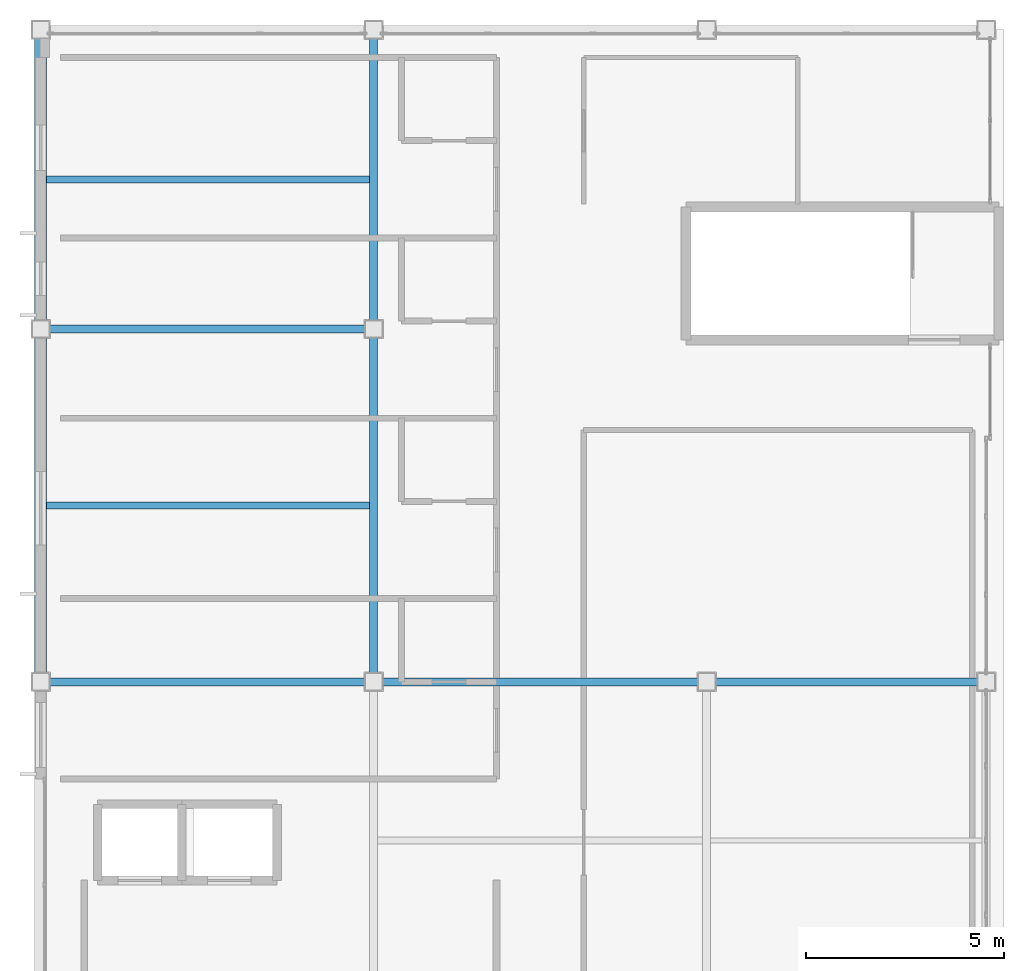
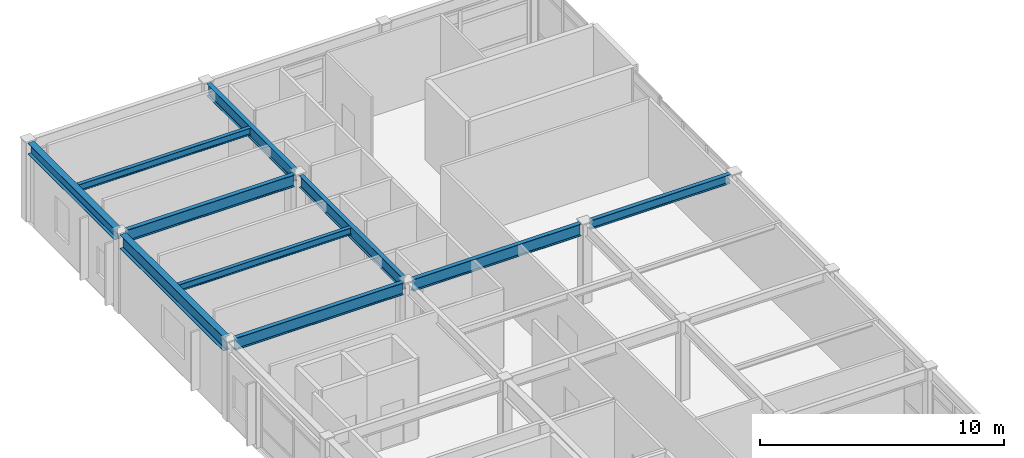
# One storey, part 22 of 34: 10 beams.
"""IFC4 building model written with IfcOpenShell, lengths in metres."""

from ifc_helpers import new_model, si_unit, direction, frame, origin, origin_2d, place, context, subcontext, project, spatial, i_section, extrude, material, material_profile, profile_set, type_object, element, save


model = new_model("IFC4")

# Units and contexts
model_context = context("Model", 3, precision=1e-05, world=origin(), true_north=direction((0.0, 1.0)))
body_context = subcontext(model_context, "Body", "Model", "MODEL_VIEW")
ifc_project = project(units=[si_unit("LENGTHUNIT", "METRE"), si_unit("AREAUNIT", "SQUARE_METRE"), si_unit("VOLUMEUNIT", "CUBIC_METRE"), si_unit("PLANEANGLEUNIT", "RADIAN"), si_unit("MASSUNIT", "GRAM", prefix="KILO")], contexts=[model_context])

# Site, building, storey
site_placement = place(None, origin())
site = spatial("IfcSite", under=ifc_project, at=site_placement, CompositionType="ELEMENT")
building_placement = place(site_placement, origin())
building = spatial("IfcBuilding", under=site, at=building_placement, Name="Kazehara Bluff Congress Hotel", CompositionType="ELEMENT")
storey_placement = place(building_placement, frame((0.0, 0.0, 46.199951171875)))
storey = spatial("IfcBuildingStorey", under=building, at=storey_placement, Name="L11", CompositionType="ELEMENT", Elevation=46.199951171875)

# Beams
ifc_material_1 = material(Name="Steel SN490B", Category="steel")
ifc_material_profile_1 = material_profile(ifc_material_1, i_section(OverallWidth=0.199951171875, OverallDepth=0.60009765625, WebThickness=0.010986328125, FlangeThickness=0.01708984375, FilletRadius=0.012939453125, at=origin_2d()))
ifc_profile_set_1 = profile_set([ifc_material_profile_1], Name="Steel SN490B")
beam_type_1 = type_object("IfcBeamType", Name="TP-G-02", PredefinedType="BEAM", material=ifc_profile_set_1)
beam_1_placement = place(storey_placement, frame((152.10009765625, 64.675048828125, 3.650146484375), z_axis=(0.0, 1.0, 0.0), x_axis=(-1.0, 0.0, 0.0)))
element("IfcBeam", 1, at=beam_1_placement, inside=storey, type_object=beam_type_1, Name="L11 girder G-02 13", PredefinedType="BEAM", context=body_context, shape_type="SweptSolid", body=[
    extrude(i_section(OverallWidth=0.199951171875, OverallDepth=0.60009765625, WebThickness=0.010986328125, FlangeThickness=0.01708984375, FilletRadius=0.012939453125, at=origin_2d()), origin(), (0.0, 0.0, 1.0), 8.449951171875),
])
beam_2_placement = place(storey_placement, frame((152.10009765625, 73.574951171875, 3.650146484375), z_axis=(0.0, 1.0, 0.0), x_axis=(-1.0, 0.0, 0.0)))
element("IfcBeam", 2, at=beam_2_placement, inside=storey, type_object=beam_type_1, Name="L11 girder G-02 14", PredefinedType="BEAM", context=body_context, shape_type="SweptSolid", body=[
    extrude(i_section(OverallWidth=0.199951171875, OverallDepth=0.60009765625, WebThickness=0.010986328125, FlangeThickness=0.01708984375, FilletRadius=0.012939453125, at=origin_2d()), origin(), (0.0, 0.0, 1.0), 7.10009765625),
])
for number, where, z_axis, x_axis, name in (
    (3, (143.925048828125, 64.449951171875, 3.650146484375), (1.0, 0.0, 0.0), (0.0, 1.0, 0.0), "L11 girder G-02 41"),
    (4, (152.324951171875, 64.449951171875, 3.650146484375), (1.0, 0.0, 0.0), (0.0, 1.0, 0.0), "L11 girder G-02 42"),
    (5, (143.925048828125, 73.35009765625, 3.650146484375), (1.0, 0.0, 0.0), (0.0, 1.0, 0.0), "L11 girder G-02 44"),
):
    element("IfcBeam", number, at=place(storey_placement, frame(where, z_axis=z_axis, x_axis=x_axis)), inside=storey, type_object=beam_type_1, Name=name, PredefinedType="BEAM", context=body_context, shape_type="SweptSolid", body=[
        extrude(i_section(OverallWidth=0.199951171875, OverallDepth=0.60009765625, WebThickness=0.010986328125, FlangeThickness=0.01708984375, FilletRadius=0.012939453125, at=origin_2d()), origin(), (0.0, 0.0, 1.0), 7.949951171875),
    ])
ifc_material_2 = material(Name="Steel SN490B", Category="steel")
ifc_material_profile_2 = material_profile(ifc_material_2, i_section(OverallWidth=0.199951171875, OverallDepth=0.449951171875, WebThickness=0.009033203125, FlangeThickness=0.013916015625, FilletRadius=0.012939453125, at=origin_2d()))
ifc_profile_set_2 = profile_set([ifc_material_profile_2], Name="Steel SN490B")
beam_type_2 = type_object("IfcBeamType", Name="TP-G-11", PredefinedType="BEAM", material=ifc_profile_set_2)
beam_3_placement = place(storey_placement, frame((160.72509765625, 64.449951171875, 3.72509765625), z_axis=(1.0, 0.0, 0.0), x_axis=(0.0, 1.0, 0.0)))
element("IfcBeam", 6, at=beam_3_placement, inside=storey, type_object=beam_type_2, Name="L11 girder G-11 43", PredefinedType="BEAM", context=body_context, shape_type="SweptSolid", body=[
    extrude(i_section(OverallWidth=0.199951171875, OverallDepth=0.449951171875, WebThickness=0.009033203125, FlangeThickness=0.013916015625, FilletRadius=0.012939453125, at=origin_2d()), origin(), (0.0, 0.0, 1.0), 6.599853515625),
])
ifc_material_3 = material(Name="Steel SN400B", Category="steel")
ifc_material_profile_3 = material_profile(ifc_material_3, i_section(OverallWidth=0.175048828125, OverallDepth=0.35009765625, WebThickness=0.007080078125, FlangeThickness=0.010986328125, FilletRadius=0.012939453125, at=origin_2d()))
ifc_profile_set_3 = profile_set([ifc_material_profile_3], Name="Steel SN400B")
beam_type_3 = type_object("IfcBeamType", Name="TP-J-02", PredefinedType="JOIST", material=ifc_profile_set_3)
for number, where, z_axis, x_axis, name in (
    (7, (143.85009765625, 68.89990234375, 3.775146484375), (1.0, 0.0, 0.0), (0.0, 1.0, 0.0), "L11 secondary joist J-02 3"),
    (8, (143.85009765625, 77.125, 3.775146484375), (1.0, 0.0, 0.0), (0.0, 1.0, 0.0), "L11 secondary joist J-02 4"),
):
    element("IfcBeam", number, at=place(storey_placement, frame(where, z_axis=z_axis, x_axis=x_axis)), inside=storey, type_object=beam_type_3, Name=name, PredefinedType="JOIST", context=body_context, shape_type="SweptSolid", body=[
        extrude(i_section(OverallWidth=0.175048828125, OverallDepth=0.35009765625, WebThickness=0.007080078125, FlangeThickness=0.010986328125, FilletRadius=0.012939453125, at=origin_2d()), origin(), (0.0, 0.0, 1.0), 8.14990234375),
    ])
ifc_material_4 = material(Name="Steel SN490B", Category="steel")
ifc_material_profile_4 = material_profile(ifc_material_4, i_section(OverallWidth=0.300048828125, OverallDepth=0.550048828125, WebThickness=0.010986328125, FlangeThickness=0.01806640625, FilletRadius=0.012939453125, at=origin_2d()))
ifc_profile_set_4 = profile_set([ifc_material_profile_4], Name="Steel SN490B")
beam_type_4 = type_object("IfcBeamType", Name="TP-SP-01", PredefinedType="SPANDREL", material=ifc_profile_set_4)
beam_4_placement = place(storey_placement, frame((143.699951171875, 73.574951171875, 3.675048828125), z_axis=(0.0, 1.0, 0.0), x_axis=(-1.0, 0.0, 0.0)))
element("IfcBeam", 9, at=beam_4_placement, inside=storey, type_object=beam_type_4, Name="L11 girder SP-01 7", PredefinedType="SPANDREL", context=body_context, shape_type="SweptSolid", body=[
    extrude(i_section(OverallWidth=0.300048828125, OverallDepth=0.550048828125, WebThickness=0.010986328125, FlangeThickness=0.01806640625, FilletRadius=0.012939453125, at=origin_2d()), origin(), (0.0, 0.0, 1.0), 7.10009765625),
])
ifc_material_5 = material(Name="Steel SN490B", Category="steel")
ifc_material_profile_5 = material_profile(ifc_material_5, i_section(OverallWidth=0.300048828125, OverallDepth=0.699951171875, WebThickness=0.012939453125, FlangeThickness=0.02392578125, FilletRadius=0.01806640625, at=origin_2d()))
ifc_profile_set_5 = profile_set([ifc_material_profile_5], Name="Steel SN490B")
beam_type_5 = type_object("IfcBeamType", Name="TP-SP-03", PredefinedType="SPANDREL", material=ifc_profile_set_5)
beam_5_placement = place(storey_placement, frame((143.699951171875, 64.675048828125, 3.60009765625), z_axis=(0.0, 1.0, 0.0), x_axis=(-1.0, 0.0, 0.0)))
element("IfcBeam", 10, at=beam_5_placement, inside=storey, type_object=beam_type_5, Name="L11 girder SP-03 6", PredefinedType="SPANDREL", context=body_context, shape_type="SweptSolid", body=[
    extrude(i_section(OverallWidth=0.300048828125, OverallDepth=0.699951171875, WebThickness=0.012939453125, FlangeThickness=0.02392578125, FilletRadius=0.01806640625, at=origin_2d()), origin(), (0.0, 0.0, 1.0), 8.449951171875),
])

save(model, "model.ifc")
